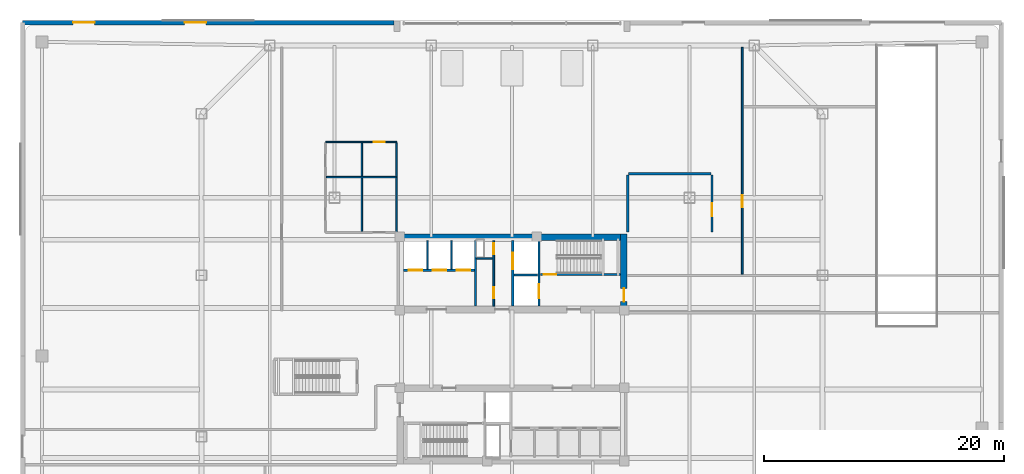
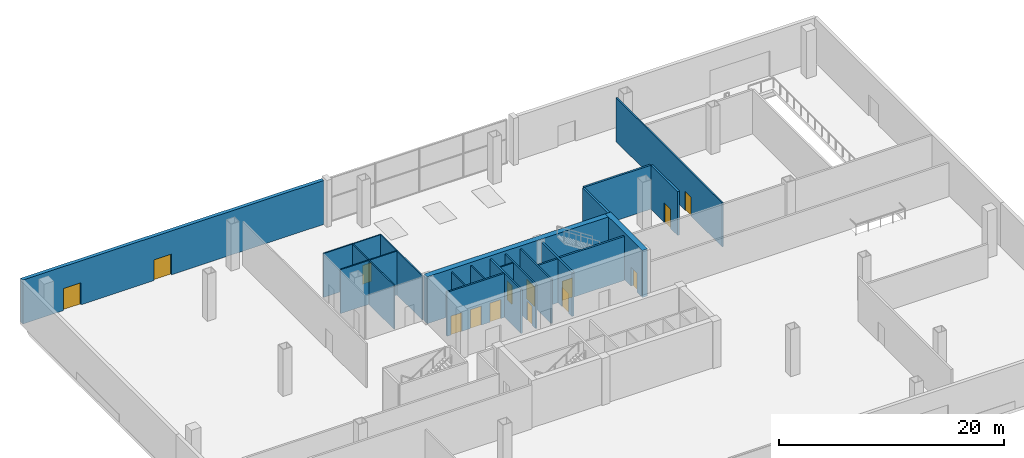
# One storey, part 13 of 21: 21 walls, 14 doors, 14 openings.
"""IFC4 building model written with IfcOpenShell, lengths in metres."""

from ifc_helpers import new_model, si_unit, direction, frame, frame_2d, origin, place, context, subcontext, project, spatial, rectangle, extrude, material, layer, layer_set, type_object, element, fill, save


model = new_model("IFC4")

# Units and contexts
model_context = context("Model", 3, precision=1e-05, world=origin(), true_north=direction((0.0, 1.0)))
body_context = subcontext(model_context, "Body", "Model", "MODEL_VIEW")
ifc_project = project(units=[si_unit("LENGTHUNIT", "METRE"), si_unit("AREAUNIT", "SQUARE_METRE"), si_unit("VOLUMEUNIT", "CUBIC_METRE"), si_unit("PLANEANGLEUNIT", "RADIAN"), si_unit("MASSUNIT", "GRAM", prefix="KILO")], contexts=[model_context])

# Site, building, storey
site_placement = place(None, origin())
site = spatial("IfcSite", under=ifc_project, at=site_placement, CompositionType="ELEMENT")
building_placement = place(site_placement, origin())
building = spatial("IfcBuilding", under=site, at=building_placement, Name="Qhalaya Broadcast Tower", CompositionType="ELEMENT")
storey_placement = place(building_placement, origin())
storey = spatial("IfcBuildingStorey", under=building, at=storey_placement, Name="L00", CompositionType="ELEMENT", Elevation=0.0)

# Wall, openings, doors
ifc_material_1 = material(Name="Gypsum Acoustic Partition")
ifc_layer_1 = layer(ifc_material_1, 0.14990234375, Name="Gypsum Acoustic Partition")
ifc_layer_set_1 = layer_set([ifc_layer_1], Name="Gypsum Acoustic Partition")
wall_type_1 = type_object("IfcWallType", Name="Corridor & Tenancy Acoustic Partition 150", PredefinedType="PARTITIONING", material=ifc_layer_set_1)
wall_1_placement = place(storey_placement, frame((-1.52001953125, 4.169921875, 0.0), z_axis=(0.0, 0.0, 1.0), x_axis=(0.0, 1.0, 0.0)))
wall_1 = element("IfcWall", 1, at=wall_1_placement, inside=storey, type_object=wall_type_1, Name="L00 Partition Wall NCW-SVL", PredefinedType="PARTITIONING", context=body_context, shape_type="SweptSolid", body=[
    extrude(rectangle(XDim=5.4599609375, YDim=0.14990234375, at=frame_2d((2.72998046875, 0.0))), origin(), (0.0, 0.0, 1.0), 4.780029296875),
])
opening_1_placement = place(wall_1_placement, frame((4.330078125, 0.0, 0.0)))
opening_1 = element("IfcOpeningElement", 2, at=opening_1_placement, cuts=wall_1, Name="Opening D06", PredefinedType="OPENING", context=body_context, shape_type="SweptSolid", body=[
    extrude(rectangle(XDim=0.89990234375, YDim=2.050048828125, at=frame_2d((0.449951171875, 1.02490234375))), frame((0.0, 0.0869140625, 0.0), z_axis=(0.0, -1.0, 0.0), x_axis=(1.0, 0.0, 0.0)), (0.0, 0.0, 1.0), 0.173828125),
])
opening_2_placement = place(wall_1_placement, frame((0.64990234375, 0.0, 0.0)))
opening_2 = element("IfcOpeningElement", 3, at=opening_2_placement, cuts=wall_1, Name="Opening D06", PredefinedType="OPENING", context=body_context, shape_type="SweptSolid", body=[
    extrude(rectangle(XDim=0.89990234375, YDim=2.050048828125, at=frame_2d((0.449951171875, 1.02490234375))), frame((0.0, 0.0869140625, 0.0), z_axis=(0.0, -1.0, 0.0), x_axis=(1.0, 0.0, 0.0)), (0.0, 0.0, 1.0), 0.173828125),
])
ifc_material_2 = material(Name="Fire-Rated Steel Door", Category="steel")
door_type_1 = type_object("IfcDoorType", Name="Riser & Electrical Shaft Access Door D06", OperationType="NOTDEFINED", PredefinedType="DOOR", material=ifc_material_2)
door_1_placement = place(opening_1_placement, origin())
door_1 = element("IfcDoor", 4, at=door_1_placement, inside=storey, type_object=door_type_1, Name="L00 Riser Shaft Access Door D-NRSR", OperationType="SINGLE_SWING_RIGHT", OverallHeight=2.050048828125, OverallWidth=0.89990234375, PredefinedType="DOOR", context=body_context, shape_type="SweptSolid", body=[
    extrude(rectangle(XDim=0.89990234375, YDim=2.050048828125, at=frame_2d((0.449951171875, 1.02490234375))), frame((0.0, 0.02490234375, 0.0), z_axis=(0.0, -1.0, 0.0), x_axis=(1.0, 0.0, 0.0)), (0.0, 0.0, 1.0), 0.050048828125),
])
fill(opening_1, door_1)
door_2_placement = place(opening_2_placement, origin())
door_2 = element("IfcDoor", 5, at=door_2_placement, inside=storey, type_object=door_type_1, Name="L00 Door D-NCST", OperationType="SINGLE_SWING_LEFT", OverallHeight=2.050048828125, OverallWidth=0.89990234375, PredefinedType="DOOR", context=body_context, shape_type="SweptSolid", body=[
    extrude(rectangle(XDim=0.89990234375, YDim=2.050048828125, at=frame_2d((0.449951171875, 1.02490234375))), frame((0.0, 0.02490234375, 0.0), z_axis=(0.0, -1.0, 0.0), x_axis=(1.0, 0.0, 0.0)), (0.0, 0.0, 1.0), 0.050048828125),
])
fill(opening_2, door_2)

# Wall, opening, door
wall_2_placement = place(storey_placement, frame((19.199951171875, 6.840087890625, 0.0), z_axis=(0.0, 0.0, 1.0), x_axis=(0.0, 1.0, 0.0)))
wall_2 = element("IfcWall", 6, at=wall_2_placement, inside=storey, type_object=wall_type_1, Name="L00 Partition Wall W-SECB", PredefinedType="PARTITIONING", context=body_context, shape_type="SweptSolid", body=[
    extrude(rectangle(XDim=18.89990234375, YDim=0.14990234375, at=frame_2d((9.449951171875, 0.0))), origin(), (0.0, 0.0, 1.0), 4.780029296875),
])
opening_3_placement = place(wall_2_placement, frame((5.572998046875, 0.0, 0.0)))
opening_3 = element("IfcOpeningElement", 7, at=opening_3_placement, cuts=wall_2, Name="Opening D09", PredefinedType="OPENING", context=body_context, shape_type="SweptSolid", body=[
    extrude(rectangle(XDim=1.0, YDim=2.06005859375, at=frame_2d((0.5, 1.030029296875))), frame((0.0, 0.0869140625, 0.0), z_axis=(0.0, -1.0, 0.0), x_axis=(1.0, 0.0, 0.0)), (0.0, 0.0, 1.0), 0.173828125),
])
ifc_material_3 = material(Name="Anodised Aluminium Glazed Door", Category="aluminium")
door_type_2 = type_object("IfcDoorType", Name="Newsroom & Editorial Suite Door D09", OperationType="NOTDEFINED", PredefinedType="DOOR", material=ifc_material_3)
door_3_placement = place(opening_3_placement, origin())
door_3 = element("IfcDoor", 8, at=door_3_placement, inside=storey, type_object=door_type_2, Name="L00 Door D-SEC", OperationType="SINGLE_SWING_RIGHT", OverallHeight=2.06005859375, OverallWidth=1.0, PredefinedType="DOOR", context=body_context, shape_type="SweptSolid", body=[
    extrude(rectangle(XDim=1.0, YDim=2.06005859375, at=frame_2d((0.5, 1.030029296875))), frame((0.0, 0.02490234375, 0.0), z_axis=(0.0, -1.0, 0.0), x_axis=(1.0, 0.0, 0.0)), (0.0, 0.0, 1.0), 0.050048828125),
])
fill(opening_3, door_3)

# Walls
ifc_layer_2 = layer(ifc_material_1, 0.199951171875, Name="Gypsum Acoustic Partition")
ifc_layer_set_2 = layer_set([ifc_layer_2], Name="Gypsum Acoustic Partition")
wall_type_2 = type_object("IfcWallType", Name="Firefighting Lobby & Stair Enclosure Wall 200", PredefinedType="PARTITIONING", material=ifc_layer_set_2)
wall_3_placement = place(storey_placement, frame((9.7099609375, 15.199951171875, 0.0), z_axis=(0.0, 0.0, 1.0), x_axis=(1.0, 0.0, 0.0)))
element("IfcWall", 9, at=wall_3_placement, inside=storey, type_object=wall_type_2, Name="L00 Partition Wall W-FCN", PredefinedType="PARTITIONING", context=body_context, shape_type="SweptSolid", body=[
    extrude(rectangle(XDim=6.880126953125, YDim=0.199951171875, at=frame_2d((3.43994140625, 0.0))), origin(), (0.0, 0.0, 1.0), 4.780029296875),
])
wall_4_placement = place(storey_placement, frame((9.64990234375, 10.360107421875, 0.0), z_axis=(0.0, 0.0, 1.0), x_axis=(0.0, 1.0, 0.0)))
element("IfcWall", 10, at=wall_4_placement, inside=storey, type_object=wall_type_2, Name="L00 Partition Wall W-FCW", PredefinedType="PARTITIONING", context=body_context, shape_type="SweptSolid", body=[
    extrude(rectangle(XDim=4.72998046875, YDim=0.199951171875, at=frame_2d((2.364990234375, 0.0))), origin(), (0.0, 0.0, 1.0), 4.780029296875),
])

# Wall, opening, door
wall_5_placement = place(storey_placement, frame((16.679931640625, 10.360107421875, 0.0), z_axis=(0.0, 0.0, 1.0), x_axis=(0.0, 1.0, 0.0)))
wall_5 = element("IfcWall", 11, at=wall_5_placement, inside=storey, type_object=wall_type_2, Name="L00 Partition Wall W-FCE", PredefinedType="PARTITIONING", context=body_context, shape_type="SweptSolid", body=[
    extrude(rectangle(XDim=4.72998046875, YDim=0.199951171875, at=frame_2d((2.364990234375, 0.0))), origin(), (0.0, 0.0, 1.0), 4.780029296875),
])
opening_4_placement = place(wall_5_placement, frame((1.2900390625, 0.0, 0.0)))
opening_4 = element("IfcOpeningElement", 12, at=opening_4_placement, cuts=wall_5, Name="Opening D04", PredefinedType="OPENING", context=body_context, shape_type="SweptSolid", body=[
    extrude(rectangle(XDim=1.10009765625, YDim=2.080078125, at=frame_2d((0.550048828125, 1.0400390625))), frame((0.0, 0.112060546875, 0.0), z_axis=(0.0, -1.0, 0.0), x_axis=(1.0, 0.0, 0.0)), (0.0, 0.0, 1.0), 0.223876953125),
])
door_type_3 = type_object("IfcDoorType", Name="Firefighting Lobby Rated Door D04", OperationType="NOTDEFINED", PredefinedType="DOOR", material=ifc_material_2)
door_4_placement = place(opening_4_placement, origin())
door_4 = element("IfcDoor", 13, at=door_4_placement, inside=storey, type_object=door_type_3, Name="L00 Door D-FCR", OperationType="SINGLE_SWING_RIGHT", OverallHeight=2.080078125, OverallWidth=1.10009765625, PredefinedType="DOOR", context=body_context, shape_type="SweptSolid", body=[
    extrude(rectangle(XDim=1.10009765625, YDim=2.080078125, at=frame_2d((0.550048828125, 1.0400390625))), frame((0.0, 0.02490234375, 0.0), z_axis=(0.0, -1.0, 0.0), x_axis=(1.0, 0.0, 0.0)), (0.0, 0.0, 1.0), 0.050048828125),
])
fill(opening_4, door_4)

# Wall, openings, doors
ifc_material_4 = material(Name="Precast Concrete C40/50", Category="concrete")
ifc_layer_3 = layer(ifc_material_4, 0.360107421875, Name="Precast Concrete C40/50")
ifc_layer_set_3 = layer_set([ifc_layer_3], Name="Precast Concrete C40/50")
wall_type_3 = type_object("IfcWallType", Name="Insulated Precast Terracotta Exterior Wall 360", PredefinedType="SOLIDWALL", material=ifc_layer_set_3)
wall_6_placement = place(storey_placement, frame((-40.800048828125, 27.800048828125, 0.0), z_axis=(0.0, 0.0, 1.0), x_axis=(1.0, 0.0, 0.0)))
wall_6 = element("IfcWall", 14, at=wall_6_placement, inside=storey, type_object=wall_type_3, Name="L00 Podium Exterior Terracotta Wall EW-NW", PredefinedType="SOLIDWALL", context=body_context, shape_type="SweptSolid", body=[
    extrude(rectangle(XDim=30.9599609375, YDim=0.360107421875, at=frame_2d((15.47998046875, 0.0))), origin(), (0.0, 0.0, 1.0), 4.780029296875),
])
opening_5_placement = place(wall_6_placement, frame((4.199951171875, 0.0, 0.0)))
opening_5 = element("IfcOpeningElement", 15, at=opening_5_placement, cuts=wall_6, Name="Opening D01", PredefinedType="OPENING", context=body_context, shape_type="SweptSolid", body=[
    extrude(rectangle(XDim=1.800048828125, YDim=2.39990234375, at=frame_2d((0.89990234375, 1.199951171875))), frame((0.0, 0.192138671875, 0.0), z_axis=(0.0, -1.0, 0.0), x_axis=(1.0, 0.0, 0.0)), (0.0, 0.0, 1.0), 0.384033203125),
])
opening_6_placement = place(wall_6_placement, frame((13.5, 0.0, 0.0)))
opening_6 = element("IfcOpeningElement", 16, at=opening_6_placement, cuts=wall_6, Name="Opening D02", PredefinedType="OPENING", context=body_context, shape_type="SweptSolid", body=[
    extrude(rectangle(XDim=1.800048828125, YDim=2.25, at=frame_2d((0.89990234375, 1.125))), frame((0.0, 0.192138671875, 0.0), z_axis=(0.0, -1.0, 0.0), x_axis=(1.0, 0.0, 0.0)), (0.0, 0.0, 1.0), 0.384033203125),
])
door_type_4 = type_object("IfcDoorType", Name="Concourse Revolving & Double Entrance Door D01", OperationType="DOUBLE_DOOR_SINGLE_SWING", PredefinedType="DOOR", material=ifc_material_3)
door_5_placement = place(opening_5_placement, origin())
door_5 = element("IfcDoor", 17, at=door_5_placement, inside=storey, type_object=door_type_4, Name="Ground Pedestrian Exit Door ED-04", OperationType="DOUBLE_DOOR_SINGLE_SWING", OverallHeight=2.39990234375, OverallWidth=1.800048828125, PredefinedType="DOOR", context=body_context, shape_type="SweptSolid", body=[
    extrude(rectangle(XDim=1.800048828125, YDim=2.39990234375, at=frame_2d((0.89990234375, 1.199951171875))), frame((0.0, 0.02490234375, 0.0), z_axis=(0.0, -1.0, 0.0), x_axis=(1.0, 0.0, 0.0)), (0.0, 0.0, 1.0), 0.050048828125),
])
fill(opening_5, door_5)
door_type_5 = type_object("IfcDoorType", Name="Ground Final Exit Double Fire Door D02", OperationType="DOUBLE_DOOR_SINGLE_SWING", PredefinedType="DOOR", material=ifc_material_2)
door_6_placement = place(opening_6_placement, origin())
door_6 = element("IfcDoor", 18, at=door_6_placement, inside=storey, type_object=door_type_5, Name="Ground Pedestrian Exit Door ED-05", OperationType="DOUBLE_DOOR_SINGLE_SWING", OverallHeight=2.25, OverallWidth=1.800048828125, PredefinedType="DOOR", context=body_context, shape_type="SweptSolid", body=[
    extrude(rectangle(XDim=1.800048828125, YDim=2.25, at=frame_2d((0.89990234375, 1.125))), frame((0.0, 0.02490234375, 0.0), z_axis=(0.0, -1.0, 0.0), x_axis=(1.0, 0.0, 0.0)), (0.0, 0.0, 1.0), 0.050048828125),
])
fill(opening_6, door_6)

# Wall, opening, door
ifc_material_5 = material(Name="Concrete C50/60", Category="concrete")
ifc_layer_4 = layer(ifc_material_5, 0.199951171875, Name="Concrete C50/60")
ifc_layer_set_4 = layer_set([ifc_layer_4], Name="Concrete C50/60")
wall_type_4 = type_object("IfcWallType", Name="Load-Bearing Stair Shaft Wall 200", PredefinedType="SHEAR", material=ifc_layer_set_4)
wall_7_placement = place(storey_placement, frame((2.360107421875, 6.804931640625, 0.0), z_axis=(0.0, 0.0, 1.0), x_axis=(1.0, 0.0, 0.0)))
wall_7 = element("IfcWall", 19, at=wall_7_placement, inside=storey, type_object=wall_type_4, Name="L00 Stair Core Shear Wall NCW-ST1", PredefinedType="SHEAR", context=body_context, shape_type="SweptSolid", body=[
    extrude(rectangle(XDim=6.669921875, YDim=0.199951171875, at=frame_2d((3.3349609375, 0.0))), origin(), (0.0, 0.0, 1.0), 4.780029296875),
])
opening_7_placement = place(wall_7_placement, frame((0.300048828125, 0.0, 0.0)))
opening_7 = element("IfcOpeningElement", 20, at=opening_7_placement, cuts=wall_7, Name="Opening D03", PredefinedType="OPENING", context=body_context, shape_type="SweptSolid", body=[
    extrude(rectangle(XDim=1.050048828125, YDim=2.080078125, at=frame_2d((0.52490234375, 1.0400390625))), frame((0.0, 0.112060546875, 0.0), z_axis=(0.0, -1.0, 0.0), x_axis=(1.0, 0.0, 0.0)), (0.0, 0.0, 1.0), 0.223876953125),
])
door_type_6 = type_object("IfcDoorType", Name="Core Stair Protected Fire Door D03", OperationType="NOTDEFINED", PredefinedType="DOOR", material=ifc_material_2)
door_7_placement = place(opening_7_placement, origin())
door_7 = element("IfcDoor", 21, at=door_7_placement, inside=storey, type_object=door_type_6, Name="L00 Door D-NST1", OperationType="SINGLE_SWING_LEFT", OverallHeight=2.080078125, OverallWidth=1.050048828125, PredefinedType="DOOR", context=body_context, shape_type="SweptSolid", body=[
    extrude(rectangle(XDim=1.050048828125, YDim=2.080078125, at=frame_2d((0.52490234375, 1.0400390625))), frame((0.0, 0.02490234375, 0.0), z_axis=(0.0, -1.0, 0.0), x_axis=(1.0, 0.0, 0.0)), (0.0, 0.0, 1.0), 0.050048828125),
])
fill(opening_7, door_7)

wall_8_placement = place(storey_placement, frame((2.25, 4.169921875, 0.0), z_axis=(0.0, 0.0, 1.0), x_axis=(0.0, 1.0, 0.0)))
wall_8 = element("IfcWall", 22, at=wall_8_placement, inside=storey, type_object=wall_type_4, Name="L00 Stair Core Shear Wall NCW-FF", PredefinedType="SHEAR", context=body_context, shape_type="SweptSolid", body=[
    extrude(rectangle(XDim=5.4599609375, YDim=0.199951171875, at=frame_2d((2.72998046875, 0.0))), origin(), (0.0, 0.0, 1.0), 4.780029296875),
])
opening_8_placement = place(wall_8_placement, frame((0.64990234375, 0.0, 0.0)))
opening_8 = element("IfcOpeningElement", 23, at=opening_8_placement, cuts=wall_8, Name="Opening LD2", PredefinedType="OPENING", context=body_context, shape_type="SweptSolid", body=[
    extrude(rectangle(XDim=1.14990234375, YDim=2.080078125, at=frame_2d((0.574951171875, 1.0400390625))), frame((0.0, 0.112060546875, 0.0), z_axis=(0.0, -1.0, 0.0), x_axis=(1.0, 0.0, 0.0)), (0.0, 0.0, 1.0), 0.223876953125),
])
ifc_material_6 = material(Name="Brushed Stainless Steel Lift Door", Category="steel")
door_type_7 = type_object("IfcDoorType", Name="Firefighting Lift Sliding Landing Door LD2", OperationType="DOUBLE_DOOR_SLIDING", PredefinedType="DOOR", material=ifc_material_6)
door_8_placement = place(opening_8_placement, origin())
door_8 = element("IfcDoor", 24, at=door_8_placement, inside=storey, type_object=door_type_7, Name="L00 Door LD-FF1", OperationType="DOUBLE_DOOR_SLIDING", OverallHeight=2.080078125, OverallWidth=1.14990234375, PredefinedType="DOOR", context=body_context, shape_type="SweptSolid", body=[
    extrude(rectangle(XDim=1.14990234375, YDim=2.080078125, at=frame_2d((0.574951171875, 1.0400390625))), frame((0.0, 0.02490234375, 0.0), z_axis=(0.0, -1.0, 0.0), x_axis=(1.0, 0.0, 0.0)), (0.0, 0.0, 1.0), 0.050048828125),
])
fill(opening_8, door_8)

# Wall
ifc_material_7 = material(Name="Concrete C60/75", Category="concrete")
ifc_layer_5 = layer(ifc_material_7, 0.550048828125, Name="Concrete C60/75")
ifc_layer_set_5 = layer_set([ifc_layer_5], Name="Concrete C60/75")
wall_type_5 = type_object("IfcWallType", Name="Lower Split-Core Shear Wall 550", PredefinedType="SHEAR", material=ifc_layer_set_5)
wall_9_placement = place(storey_placement, frame((-9.60009765625, 9.925048828125, 0.0), z_axis=(0.0, 0.0, 1.0), x_axis=(1.0, 0.0, 0.0)))
element("IfcWall", 25, at=wall_9_placement, inside=storey, type_object=wall_type_5, Name="L00 Split-Core Shear Wall CW-NN", PredefinedType="SHEAR", context=body_context, shape_type="SweptSolid", body=[
    extrude(rectangle(XDim=19.2001953125, YDim=0.550048828125, at=frame_2d((9.60009765625, 0.0))), origin(), (0.0, 0.0, 1.0), 5.10009765625),
])

# Wall, opening, door
wall_10_placement = place(storey_placement, frame((9.324951171875, 3.60009765625, 0.0), z_axis=(0.0, 0.0, 1.0), x_axis=(0.0, 1.0, 0.0)))
wall_10 = element("IfcWall", 26, at=wall_10_placement, inside=storey, type_object=wall_type_5, Name="L00 Split-Core Shear Wall CW-NE", PredefinedType="SHEAR", context=body_context, shape_type="SweptSolid", body=[
    extrude(rectangle(XDim=6.599853515625, YDim=0.550048828125, at=frame_2d((3.2998046875, 0.0))), origin(), (0.0, 0.0, 1.0), 5.10009765625),
])
opening_9_placement = place(wall_10_placement, frame((0.949951171875, 0.0, 0.0)))
opening_9 = element("IfcOpeningElement", 27, at=opening_9_placement, cuts=wall_10, Name="Opening D04", PredefinedType="OPENING", context=body_context, shape_type="SweptSolid", body=[
    extrude(rectangle(XDim=1.10009765625, YDim=2.080078125, at=frame_2d((0.550048828125, 1.0400390625))), frame((0.0, 0.287109375, 0.0), z_axis=(0.0, -1.0, 0.0), x_axis=(1.0, 0.0, 0.0)), (0.0, 0.0, 1.0), 0.573974609375),
])
door_9_placement = place(opening_9_placement, origin())
door_9 = element("IfcDoor", 28, at=door_9_placement, inside=storey, type_object=door_type_3, Name="L00 Door D-FF1-EP1", OperationType="SINGLE_SWING_LEFT", OverallHeight=2.080078125, OverallWidth=1.10009765625, PredefinedType="DOOR", context=body_context, shape_type="SweptSolid", body=[
    extrude(rectangle(XDim=1.10009765625, YDim=2.080078125, at=frame_2d((0.550048828125, 1.0400390625))), frame((0.0, 0.02490234375, 0.0), z_axis=(0.0, -1.0, 0.0), x_axis=(1.0, 0.0, 0.0)), (0.0, 0.0, 1.0), 0.050048828125),
])
fill(opening_9, door_9)

# Walls
ifc_layer_6 = layer(ifc_material_1, 0.1201171875, Name="Gypsum Acoustic Partition")
ifc_layer_set_6 = layer_set([ifc_layer_6], Name="Gypsum Acoustic Partition")
wall_type_6 = type_object("IfcWallType", Name="Office, Booth & Sanitary Partition 120", PredefinedType="PARTITIONING", material=ifc_layer_set_6)
wall_11_placement = place(storey_placement, frame((-2.9599609375, 8.14990234375, 0.0), z_axis=(0.0, 0.0, 1.0), x_axis=(1.0, 0.0, 0.0)))
element("IfcWall", 29, at=wall_11_placement, inside=storey, type_object=wall_type_6, Name="L00 Partition Wall NCW-VA", PredefinedType="PARTITIONING", context=body_context, shape_type="SweptSolid", body=[
    extrude(rectangle(XDim=1.35986328125, YDim=0.1201171875, at=frame_2d((0.679931640625, 0.0))), origin(), (0.0, 0.0, 1.0), 4.780029296875),
])
for number, where, z_axis, x_axis, name in (
    (30, (-7.06005859375, 7.25, 0.0), (0.0, 0.0, 1.0), (0.0, 1.0, 0.0), "L00 Partition Wall NCW-PD1"),
    (31, (-5.06005859375, 7.25, 0.0), (0.0, 0.0, 1.0), (0.0, 1.0, 0.0), "L00 Partition Wall NCW-PD2"),
):
    element("IfcWall", number, at=place(storey_placement, frame(where, z_axis=z_axis, x_axis=x_axis)), inside=storey, type_object=wall_type_6, Name=name, PredefinedType="PARTITIONING", context=body_context, shape_type="SweptSolid", body=[
        extrude(rectangle(XDim=2.3798828125, YDim=0.1201171875, at=frame_2d((1.18994140625, 0.0))), origin(), (0.0, 0.0, 1.0), 4.780029296875),
    ])

# Wall, opening, door
wall_12_placement = place(storey_placement, frame((-15.530029296875, 17.85009765625, 0.0), z_axis=(0.0, 0.0, 1.0), x_axis=(1.0, 0.0, 0.0)))
wall_12 = element("IfcWall", 32, at=wall_12_placement, inside=storey, type_object=wall_type_6, Name="L00 Partition Wall W-WC0N", PredefinedType="PARTITIONING", context=body_context, shape_type="SweptSolid", body=[
    extrude(rectangle(XDim=5.909912109375, YDim=0.1201171875, at=frame_2d((2.955078125, 0.0))), origin(), (0.0, 0.0, 1.0), 4.780029296875),
])
opening_10_placement = place(wall_12_placement, frame((4.01708984375, 0.0, 0.0)))
opening_10 = element("IfcOpeningElement", 33, at=opening_10_placement, cuts=wall_12, Name="Opening D06", PredefinedType="OPENING", context=body_context, shape_type="SweptSolid", body=[
    extrude(rectangle(XDim=0.89990234375, YDim=2.050048828125, at=frame_2d((0.449951171875, 1.02490234375))), frame((0.0, 0.072021484375, 0.0), z_axis=(0.0, -1.0, 0.0), x_axis=(1.0, 0.0, 0.0)), (0.0, 0.0, 1.0), 0.14404296875),
])
door_10_placement = place(opening_10_placement, origin())
door_10 = element("IfcDoor", 34, at=door_10_placement, inside=storey, type_object=door_type_1, Name="L00 Door D-CLN0", OperationType="SINGLE_SWING_RIGHT", OverallHeight=2.050048828125, OverallWidth=0.89990234375, PredefinedType="DOOR", context=body_context, shape_type="SweptSolid", body=[
    extrude(rectangle(XDim=0.89990234375, YDim=2.050048828125, at=frame_2d((0.449951171875, 1.02490234375))), frame((0.0, 0.02490234375, 0.0), z_axis=(0.0, -1.0, 0.0), x_axis=(1.0, 0.0, 0.0)), (0.0, 0.0, 1.0), 0.050048828125),
])
fill(opening_10, door_10)

# Walls
wall_13_placement = place(storey_placement, frame((-9.6201171875, 10.340087890625, 0.0), z_axis=(0.0, 0.0, 1.0), x_axis=(0.0, 1.0, 0.0)))
element("IfcWall", 35, at=wall_13_placement, inside=storey, type_object=wall_type_6, Name="L00 Partition Wall W-WC0E", PredefinedType="PARTITIONING", context=body_context, shape_type="SweptSolid", body=[
    extrude(rectangle(XDim=7.4599609375, YDim=0.1201171875, at=frame_2d((3.72998046875, 0.0))), origin(), (0.0, 0.0, 1.0), 4.780029296875),
])
wall_14_placement = place(storey_placement, frame((-12.52001953125, 10.3701171875, 0.0), z_axis=(0.0, 0.0, 1.0), x_axis=(0.0, 1.0, 0.0)))
element("IfcWall", 36, at=wall_14_placement, inside=storey, type_object=wall_type_6, Name="L00 Partition Wall W-WC0M", PredefinedType="PARTITIONING", context=body_context, shape_type="SweptSolid", body=[
    extrude(rectangle(XDim=7.409912109375, YDim=0.1201171875, at=frame_2d((3.705078125, 0.0))), origin(), (0.0, 0.0, 1.0), 4.780029296875),
])
wall_15_placement = place(storey_placement, frame((-15.47998046875, 14.919921875, 0.0), z_axis=(0.0, 0.0, 1.0), x_axis=(1.0, 0.0, 0.0)))
element("IfcWall", 37, at=wall_15_placement, inside=storey, type_object=wall_type_6, Name="L00 Partition Wall W-WC0H", PredefinedType="PARTITIONING", context=body_context, shape_type="SweptSolid", body=[
    extrude(rectangle(XDim=5.81005859375, YDim=0.1201171875, at=frame_2d((2.905029296875, 0.0))), origin(), (0.0, 0.0, 1.0), 4.780029296875),
])

# Wall, opening, door
ifc_layer_7 = layer(ifc_material_1, 0.175048828125, Name="Gypsum Acoustic Partition")
ifc_layer_set_7 = layer_set([ifc_layer_7], Name="Gypsum Acoustic Partition")
wall_type_7 = type_object("IfcWallType", Name="Shaft & Riser Fire Partition 175", PredefinedType="PARTITIONING", material=ifc_layer_set_7)
wall_16_placement = place(storey_placement, frame((0.06005859375, 4.169921875, 0.0), z_axis=(0.0, 0.0, 1.0), x_axis=(0.0, 1.0, 0.0)))
wall_16 = element("IfcWall", 38, at=wall_16_placement, inside=storey, type_object=wall_type_7, Name="L00 Partition Wall NCW-SVW", PredefinedType="PARTITIONING", context=body_context, shape_type="SweptSolid", body=[
    extrude(rectangle(XDim=5.4599609375, YDim=0.175048828125, at=frame_2d((2.72998046875, 0.0))), origin(), (0.0, 0.0, 1.0), 4.780029296875),
])
opening_11_placement = place(wall_16_placement, frame((3.050048828125, 0.0, 0.0)))
opening_11 = element("IfcOpeningElement", 39, at=opening_11_placement, cuts=wall_16, Name="Opening LD3", PredefinedType="OPENING", context=body_context, shape_type="SweptSolid", body=[
    extrude(rectangle(XDim=1.39990234375, YDim=2.1201171875, at=frame_2d((0.699951171875, 1.06005859375))), frame((0.0, 0.099609375, 0.0), z_axis=(0.0, -1.0, 0.0), x_axis=(1.0, 0.0, 0.0)), (0.0, 0.0, 1.0), 0.198974609375),
])
door_type_8 = type_object("IfcDoorType", Name="Service Lift Wide Sliding Landing Door LD3", OperationType="DOUBLE_DOOR_SLIDING", PredefinedType="DOOR", material=ifc_material_6)
door_11_placement = place(opening_11_placement, origin())
door_11 = element("IfcDoor", 40, at=door_11_placement, inside=storey, type_object=door_type_8, Name="L00 Door LD-SV1", OperationType="DOUBLE_DOOR_SLIDING", OverallHeight=2.1201171875, OverallWidth=1.39990234375, PredefinedType="DOOR", context=body_context, shape_type="SweptSolid", body=[
    extrude(rectangle(XDim=1.39990234375, YDim=2.1201171875, at=frame_2d((0.699951171875, 1.06005859375))), frame((0.0, 0.02490234375, 0.0), z_axis=(0.0, -1.0, 0.0), x_axis=(1.0, 0.0, 0.0)), (0.0, 0.0, 1.0), 0.050048828125),
])
fill(opening_11, door_11)

# Walls
wall_17_placement = place(storey_placement, frame((0.159912109375, 6.75, 0.0), z_axis=(0.0, 0.0, 1.0), x_axis=(1.0, 0.0, 0.0)))
element("IfcWall", 41, at=wall_17_placement, inside=storey, type_object=wall_type_7, Name="L00 Partition Wall NCW-SVM", PredefinedType="PARTITIONING", context=body_context, shape_type="SweptSolid", body=[
    extrude(rectangle(XDim=1.97998046875, YDim=0.175048828125, at=frame_2d((0.989990234375, 0.0))), origin(), (0.0, 0.0, 1.0), 4.780029296875),
])
wall_18_placement = place(storey_placement, frame((-3.0400390625, 4.169921875, 0.0), z_axis=(0.0, 0.0, 1.0), x_axis=(0.0, 1.0, 0.0)))
element("IfcWall", 42, at=wall_18_placement, inside=storey, type_object=wall_type_7, Name="L00 Partition Wall NCW-VRW", PredefinedType="PARTITIONING", context=body_context, shape_type="SweptSolid", body=[
    extrude(rectangle(XDim=5.4599609375, YDim=0.175048828125, at=frame_2d((2.72998046875, 0.0))), origin(), (0.0, 0.0, 1.0), 4.780029296875),
])

# Wall, openings, doors
wall_19_placement = place(storey_placement, frame((-9.030029296875, 7.159912109375, 0.0), z_axis=(0.0, 0.0, 1.0), x_axis=(1.0, 0.0, 0.0)))
wall_19 = element("IfcWall", 43, at=wall_19_placement, inside=storey, type_object=wall_type_7, Name="L00 Partition Wall NCW-PLB", PredefinedType="PARTITIONING", context=body_context, shape_type="SweptSolid", body=[
    extrude(rectangle(XDim=5.909912109375, YDim=0.175048828125, at=frame_2d((2.955078125, 0.0))), origin(), (0.0, 0.0, 1.0), 4.780029296875),
])
opening_12_placement = place(wall_19_placement, frame((0.429931640625, 0.0, 0.0)))
opening_12 = element("IfcOpeningElement", 44, at=opening_12_placement, cuts=wall_19, Name="Opening LD1", PredefinedType="OPENING", context=body_context, shape_type="SweptSolid", body=[
    extrude(rectangle(XDim=1.10009765625, YDim=2.06005859375, at=frame_2d((0.550048828125, 1.030029296875))), frame((0.0, 0.099609375, 0.0), z_axis=(0.0, -1.0, 0.0), x_axis=(1.0, 0.0, 0.0)), (0.0, 0.0, 1.0), 0.198974609375),
])
opening_13_placement = place(wall_19_placement, frame((2.429931640625, 0.0, 0.0)))
opening_13 = element("IfcOpeningElement", 45, at=opening_13_placement, cuts=wall_19, Name="Opening LD1", PredefinedType="OPENING", context=body_context, shape_type="SweptSolid", body=[
    extrude(rectangle(XDim=1.10009765625, YDim=2.06005859375, at=frame_2d((0.550048828125, 1.030029296875))), frame((0.0, 0.099609375, 0.0), z_axis=(0.0, -1.0, 0.0), x_axis=(1.0, 0.0, 0.0)), (0.0, 0.0, 1.0), 0.198974609375),
])
opening_14_placement = place(wall_19_placement, frame((4.429931640625, 0.0, 0.0)))
opening_14 = element("IfcOpeningElement", 46, at=opening_14_placement, cuts=wall_19, Name="Opening LD1", PredefinedType="OPENING", context=body_context, shape_type="SweptSolid", body=[
    extrude(rectangle(XDim=1.10009765625, YDim=2.06005859375, at=frame_2d((0.550048828125, 1.030029296875))), frame((0.0, 0.099609375, 0.0), z_axis=(0.0, -1.0, 0.0), x_axis=(1.0, 0.0, 0.0)), (0.0, 0.0, 1.0), 0.198974609375),
])
door_type_9 = type_object("IfcDoorType", Name="Passenger Lift Sliding Landing Door LD1", OperationType="DOUBLE_DOOR_SLIDING", PredefinedType="DOOR", material=ifc_material_6)
door_12_placement = place(opening_12_placement, origin())
door_12 = element("IfcDoor", 47, at=door_12_placement, inside=storey, type_object=door_type_9, Name="L00 Door LD-P1", OperationType="DOUBLE_DOOR_SLIDING", OverallHeight=2.06005859375, OverallWidth=1.10009765625, PredefinedType="DOOR", context=body_context, shape_type="SweptSolid", body=[
    extrude(rectangle(XDim=1.10009765625, YDim=2.06005859375, at=frame_2d((0.550048828125, 1.030029296875))), frame((0.0, 0.02490234375, 0.0), z_axis=(0.0, -1.0, 0.0), x_axis=(1.0, 0.0, 0.0)), (0.0, 0.0, 1.0), 0.050048828125),
])
fill(opening_12, door_12)
door_13_placement = place(opening_13_placement, origin())
door_13 = element("IfcDoor", 48, at=door_13_placement, inside=storey, type_object=door_type_9, Name="L00 Door LD-P2", OperationType="DOUBLE_DOOR_SLIDING", OverallHeight=2.06005859375, OverallWidth=1.10009765625, PredefinedType="DOOR", context=body_context, shape_type="SweptSolid", body=[
    extrude(rectangle(XDim=1.10009765625, YDim=2.06005859375, at=frame_2d((0.550048828125, 1.030029296875))), frame((0.0, 0.02490234375, 0.0), z_axis=(0.0, -1.0, 0.0), x_axis=(1.0, 0.0, 0.0)), (0.0, 0.0, 1.0), 0.050048828125),
])
fill(opening_13, door_13)
door_14_placement = place(opening_14_placement, origin())
door_14 = element("IfcDoor", 49, at=door_14_placement, inside=storey, type_object=door_type_9, Name="L00 Door LD-P3", OperationType="DOUBLE_DOOR_SLIDING", OverallHeight=2.06005859375, OverallWidth=1.10009765625, PredefinedType="DOOR", context=body_context, shape_type="SweptSolid", body=[
    extrude(rectangle(XDim=1.10009765625, YDim=2.06005859375, at=frame_2d((0.550048828125, 1.030029296875))), frame((0.0, 0.02490234375, 0.0), z_axis=(0.0, -1.0, 0.0), x_axis=(1.0, 0.0, 0.0)), (0.0, 0.0, 1.0), 0.050048828125),
])
fill(opening_14, door_14)

save(model, "model.ifc")
